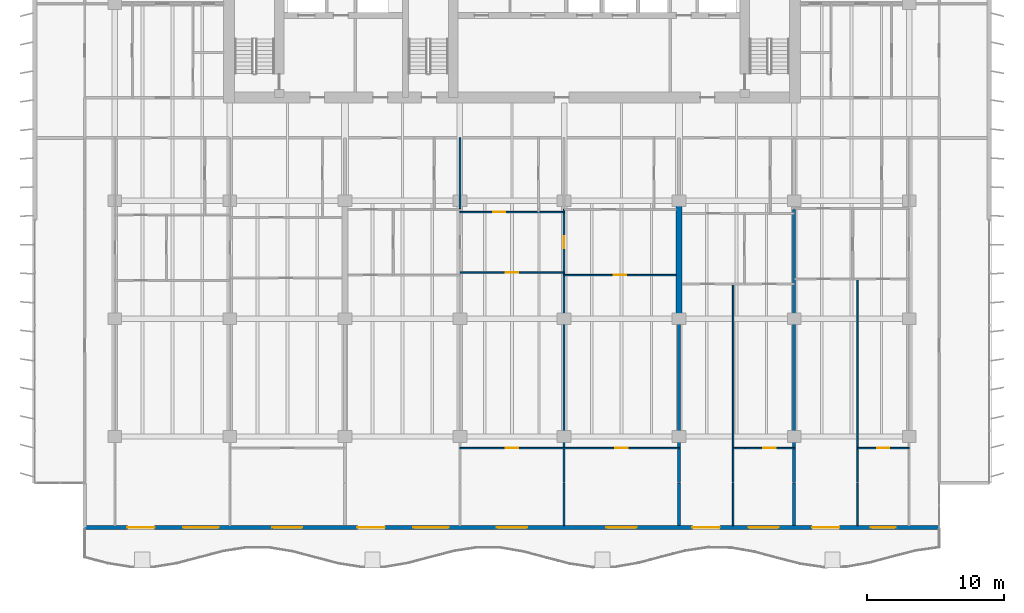
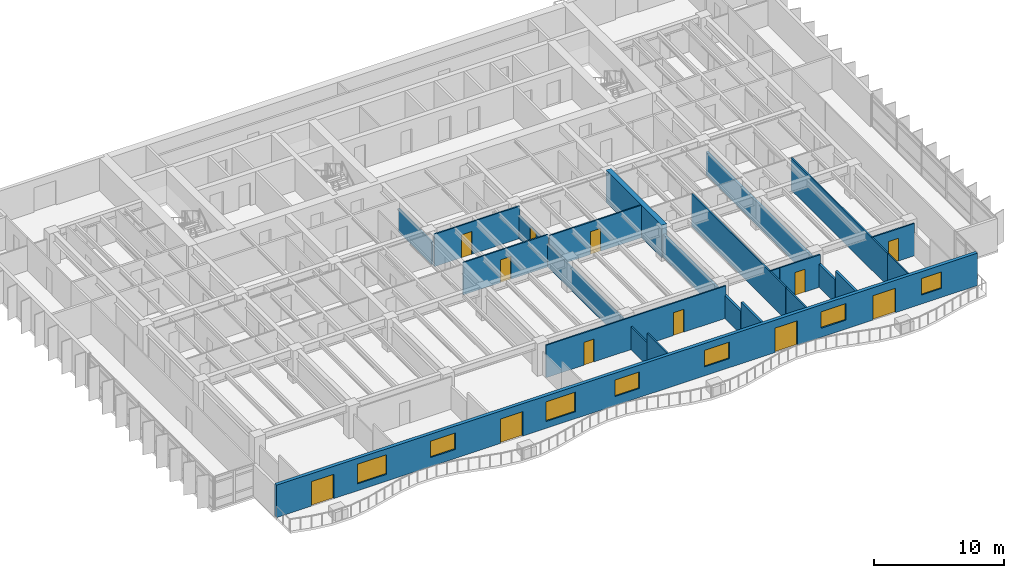
# One storey, part 7 of 15: 20 walls, 12 doors, 7 windows, 19 openings.
"""IFC4 building model written with IfcOpenShell, lengths in metres."""

from ifc_helpers import new_model, si_unit, direction, frame, frame_2d, origin, place, context, subcontext, project, spatial, rectangle, extrude, material, layer, layer_set, type_object, element, fill, save


model = new_model("IFC4")

# Units and contexts
model_context = context("Model", 3, precision=1e-05, world=origin(), true_north=direction((0.0, 1.0)))
body_context = subcontext(model_context, "Body", "Model", "MODEL_VIEW")
ifc_project = project(units=[si_unit("LENGTHUNIT", "METRE"), si_unit("AREAUNIT", "SQUARE_METRE"), si_unit("VOLUMEUNIT", "CUBIC_METRE"), si_unit("PLANEANGLEUNIT", "RADIAN"), si_unit("MASSUNIT", "GRAM", prefix="KILO")], contexts=[model_context])

# Site, building, storey
site_placement = place(None, origin())
site = spatial("IfcSite", under=ifc_project, at=site_placement, CompositionType="ELEMENT")
building_placement = place(site_placement, origin())
building = spatial("IfcBuilding", under=site, at=building_placement, Name="Caelmar Bay Residences", CompositionType="ELEMENT")
storey_placement = place(building_placement, frame((0.0, 0.0, 135.60009765625)))
storey = spatial("IfcBuildingStorey", under=building, at=storey_placement, Name="L37", CompositionType="ELEMENT", Elevation=135.60009765625)

# Wall
ifc_material_1 = material(Name="Concrete f'c 55 MPa (8,000 psi)", Category="concrete")
ifc_layer_1 = layer(ifc_material_1, 0.449951171875)
ifc_layer_set_1 = layer_set([ifc_layer_1], Name="Concrete f'c 55 MPa (8,000 psi)")
wall_type_1 = type_object("IfcWallType", Name="SW-XSLB-450", PredefinedType="SHEAR", material=ifc_layer_set_1)
wall_1_placement = place(storey_placement, frame((51.10009765625, 20.800048828125, 0.0), z_axis=(0.0, 0.0, 1.0), x_axis=(0.0, 1.0, 0.0)))
element("IfcWall", 1, at=wall_1_placement, inside=storey, type_object=wall_type_1, Name="L37 Transverse Cross-Slab Shear Wall E8", PredefinedType="SHEAR", context=body_context, shape_type="SweptSolid", body=[
    extrude(rectangle(XDim=8.599853515625, YDim=0.449951171875, at=frame_2d((4.2998046875, 0.0))), origin(), (0.0, 0.0, 1.0), 3.0498046875),
])

# Wall, openings, doors, windows
ifc_material_2 = material(Name="Precast concrete f'c 40 MPa (6,000 psi)", Category="concrete")
ifc_layer_2 = layer(ifc_material_2, 0.300048828125)
ifc_layer_set_2 = layer_set([ifc_layer_2], Name="Precast concrete f'c 40 MPa (6,000 psi)")
wall_type_2 = type_object("IfcWallType", Name="W-EXT-300", PredefinedType="STANDARD", material=ifc_layer_set_2)
wall_2_placement = place(storey_placement, frame((70.10009765625, 5.550048828125, 0.0), z_axis=(0.0, 0.0, 1.0), x_axis=(-1.0, 0.0, 0.0)))
wall_2 = element("IfcWall", 2, at=wall_2_placement, inside=storey, type_object=wall_type_2, Name="L37 South Bayfront Exterior Wall", PredefinedType="STANDARD", context=body_context, shape_type="SweptSolid", body=[
    extrude(rectangle(XDim=62.400146484375, YDim=0.300048828125, at=frame_2d((31.2001953125, 0.0))), origin(), (0.0, 0.0, 1.0), 3.0498046875),
])
opening_1_placement = place(wall_2_placement, frame((57.2900390625, 0.0, 0.0)))
opening_1 = element("IfcOpeningElement", 3, at=opening_1_placement, cuts=wall_2, Name="Opening L37-BD01", PredefinedType="OPENING", context=body_context, shape_type="SweptSolid", body=[
    extrude(rectangle(XDim=2.0, YDim=2.300048828125, at=frame_2d((1.0, 1.14990234375))), frame((0.0, 0.159912109375, 0.0), z_axis=(0.0, -1.0, 0.0), x_axis=(1.0, 0.0, 0.0)), (0.0, 0.0, 1.0), 0.320068359375),
])
opening_2_placement = place(wall_2_placement, frame((52.610107421875, 0.0, 0.64990234375)))
opening_2 = element("IfcOpeningElement", 4, at=opening_2_placement, cuts=wall_2, Name="Opening WN3", PredefinedType="OPENING", context=body_context, shape_type="SweptSolid", body=[
    extrude(rectangle(XDim=2.60009765625, YDim=1.85009765625, at=frame_2d((1.300048828125, 0.925048828125))), frame((0.0, 0.159912109375, 0.0), z_axis=(0.0, -1.0, 0.0), x_axis=(1.0, 0.0, 0.0)), (0.0, 0.0, 1.0), 0.320068359375),
])
opening_3_placement = place(wall_2_placement, frame((46.5, 0.0, 0.85009765625)))
opening_3 = element("IfcOpeningElement", 5, at=opening_3_placement, cuts=wall_2, Name="Opening WN2", PredefinedType="OPENING", context=body_context, shape_type="SweptSolid", body=[
    extrude(rectangle(XDim=2.199951171875, YDim=1.550048828125, at=frame_2d((1.10009765625, 0.77490234375))), frame((0.0, 0.159912109375, 0.0), z_axis=(0.0, -1.0, 0.0), x_axis=(1.0, 0.0, 0.0)), (0.0, 0.0, 1.0), 0.320068359375),
])
opening_4_placement = place(wall_2_placement, frame((40.489990234375, 0.0, 0.0)))
opening_4 = element("IfcOpeningElement", 6, at=opening_4_placement, cuts=wall_2, Name="Opening L37-BD02", PredefinedType="OPENING", context=body_context, shape_type="SweptSolid", body=[
    extrude(rectangle(XDim=2.0, YDim=2.300048828125, at=frame_2d((1.0, 1.14990234375))), frame((0.0, 0.159912109375, 0.0), z_axis=(0.0, -1.0, 0.0), x_axis=(1.0, 0.0, 0.0)), (0.0, 0.0, 1.0), 0.320068359375),
])
opening_5_placement = place(wall_2_placement, frame((35.81005859375, 0.0, 0.64990234375)))
opening_5 = element("IfcOpeningElement", 7, at=opening_5_placement, cuts=wall_2, Name="Opening WN3", PredefinedType="OPENING", context=body_context, shape_type="SweptSolid", body=[
    extrude(rectangle(XDim=2.60009765625, YDim=1.85009765625, at=frame_2d((1.300048828125, 0.925048828125))), frame((0.0, 0.159912109375, 0.0), z_axis=(0.0, -1.0, 0.0), x_axis=(1.0, 0.0, 0.0)), (0.0, 0.0, 1.0), 0.320068359375),
])
opening_6_placement = place(wall_2_placement, frame((30.10009765625, 0.0, 0.85009765625)))
opening_6 = element("IfcOpeningElement", 8, at=opening_6_placement, cuts=wall_2, Name="Opening WN2", PredefinedType="OPENING", context=body_context, shape_type="SweptSolid", body=[
    extrude(rectangle(XDim=2.199951171875, YDim=1.550048828125, at=frame_2d((1.10009765625, 0.77490234375))), frame((0.0, 0.159912109375, 0.0), z_axis=(0.0, -1.0, 0.0), x_axis=(1.0, 0.0, 0.0)), (0.0, 0.0, 1.0), 0.320068359375),
])
opening_7_placement = place(wall_2_placement, frame((22.10009765625, 0.0, 0.85009765625)))
opening_7 = element("IfcOpeningElement", 9, at=opening_7_placement, cuts=wall_2, Name="Opening WN2", PredefinedType="OPENING", context=body_context, shape_type="SweptSolid", body=[
    extrude(rectangle(XDim=2.199951171875, YDim=1.550048828125, at=frame_2d((1.10009765625, 0.77490234375))), frame((0.0, 0.159912109375, 0.0), z_axis=(0.0, -1.0, 0.0), x_axis=(1.0, 0.0, 0.0)), (0.0, 0.0, 1.0), 0.320068359375),
])
opening_8_placement = place(wall_2_placement, frame((16.02587890625, 0.0, 0.0)))
opening_8 = element("IfcOpeningElement", 10, at=opening_8_placement, cuts=wall_2, Name="Opening L37-BD03", PredefinedType="OPENING", context=body_context, shape_type="SweptSolid", body=[
    extrude(rectangle(XDim=2.0, YDim=2.300048828125, at=frame_2d((1.0, 1.14990234375))), frame((0.0, 0.159912109375, 0.0), z_axis=(0.0, -1.0, 0.0), x_axis=(1.0, 0.0, 0.0)), (0.0, 0.0, 1.0), 0.320068359375),
])
opening_9_placement = place(wall_2_placement, frame((11.72607421875, 0.0, 0.85009765625)))
opening_9 = element("IfcOpeningElement", 11, at=opening_9_placement, cuts=wall_2, Name="Opening WN2", PredefinedType="OPENING", context=body_context, shape_type="SweptSolid", body=[
    extrude(rectangle(XDim=2.199951171875, YDim=1.550048828125, at=frame_2d((1.10009765625, 0.77490234375))), frame((0.0, 0.159912109375, 0.0), z_axis=(0.0, -1.0, 0.0), x_axis=(1.0, 0.0, 0.0)), (0.0, 0.0, 1.0), 0.320068359375),
])
opening_10_placement = place(wall_2_placement, frame((7.2900390625, 0.0, 0.0)))
opening_10 = element("IfcOpeningElement", 12, at=opening_10_placement, cuts=wall_2, Name="Opening L37-BD04", PredefinedType="OPENING", context=body_context, shape_type="SweptSolid", body=[
    extrude(rectangle(XDim=2.0, YDim=2.300048828125, at=frame_2d((1.0, 1.14990234375))), frame((0.0, 0.159912109375, 0.0), z_axis=(0.0, -1.0, 0.0), x_axis=(1.0, 0.0, 0.0)), (0.0, 0.0, 1.0), 0.320068359375),
])
opening_11_placement = place(wall_2_placement, frame((3.18994140625, 0.0, 0.85009765625)))
opening_11 = element("IfcOpeningElement", 13, at=opening_11_placement, cuts=wall_2, Name="Opening WN1", PredefinedType="OPENING", context=body_context, shape_type="SweptSolid", body=[
    extrude(rectangle(XDim=1.800048828125, YDim=1.550048828125, at=frame_2d((0.89990234375, 0.77490234375))), frame((0.0, 0.159912109375, 0.0), z_axis=(0.0, -1.0, 0.0), x_axis=(1.0, 0.0, 0.0)), (0.0, 0.0, 1.0), 0.320068359375),
])
ifc_material_3 = material(Name="Anodised bronze thermally broken sliding glass door", Category="glass")
ifc_layer_3 = layer(ifc_material_3, 0.050048828125)
ifc_layer_set_3 = layer_set([ifc_layer_3], Name="Anodised bronze thermally broken sliding glass door")
door_type_1 = type_object("IfcDoorType", Name="D-BAL-2000", OperationType="DOUBLE_DOOR_SLIDING", PredefinedType="DOOR", material=ifc_layer_set_3)
door_1_placement = place(opening_1_placement, origin())
door_1 = element("IfcDoor", 14, at=door_1_placement, inside=storey, type_object=door_type_1, Name="L37 Residence 01 Penthouse Living Salon Balcony Door", OperationType="DOUBLE_DOOR_SLIDING", OverallHeight=2.300048828125, OverallWidth=2.0, PredefinedType="DOOR", context=body_context, shape_type="SweptSolid", body=[
    extrude(rectangle(XDim=2.0, YDim=2.300048828125, at=frame_2d((1.0, 1.14990234375))), frame((0.0, 0.02490234375, 0.0), z_axis=(0.0, -1.0, 0.0), x_axis=(1.0, 0.0, 0.0)), (0.0, 0.0, 1.0), 0.050048828125),
])
fill(opening_1, door_1)
door_2_placement = place(opening_4_placement, origin())
door_2 = element("IfcDoor", 15, at=door_2_placement, inside=storey, type_object=door_type_1, Name="L37 Residence 02 Penthouse Living Salon Balcony Door", OperationType="DOUBLE_DOOR_SLIDING", OverallHeight=2.300048828125, OverallWidth=2.0, PredefinedType="DOOR", context=body_context, shape_type="SweptSolid", body=[
    extrude(rectangle(XDim=2.0, YDim=2.300048828125, at=frame_2d((1.0, 1.14990234375))), frame((0.0, 0.02490234375, 0.0), z_axis=(0.0, -1.0, 0.0), x_axis=(1.0, 0.0, 0.0)), (0.0, 0.0, 1.0), 0.050048828125),
])
fill(opening_4, door_2)
door_3_placement = place(opening_8_placement, origin())
door_3 = element("IfcDoor", 16, at=door_3_placement, inside=storey, type_object=door_type_1, Name="L37 Residence 03 Living Room Balcony Door", OperationType="DOUBLE_DOOR_SLIDING", OverallHeight=2.300048828125, OverallWidth=2.0, PredefinedType="DOOR", context=body_context, shape_type="SweptSolid", body=[
    extrude(rectangle(XDim=2.0, YDim=2.300048828125, at=frame_2d((1.0, 1.14990234375))), frame((0.0, 0.02490234375, 0.0), z_axis=(0.0, -1.0, 0.0), x_axis=(1.0, 0.0, 0.0)), (0.0, 0.0, 1.0), 0.050048828125),
])
fill(opening_8, door_3)
door_4_placement = place(opening_10_placement, origin())
door_4 = element("IfcDoor", 17, at=door_4_placement, inside=storey, type_object=door_type_1, Name="L37 Residence 04 Penthouse Living Salon Balcony Door", OperationType="DOUBLE_DOOR_SLIDING", OverallHeight=2.300048828125, OverallWidth=2.0, PredefinedType="DOOR", context=body_context, shape_type="SweptSolid", body=[
    extrude(rectangle(XDim=2.0, YDim=2.300048828125, at=frame_2d((1.0, 1.14990234375))), frame((0.0, 0.02490234375, 0.0), z_axis=(0.0, -1.0, 0.0), x_axis=(1.0, 0.0, 0.0)), (0.0, 0.0, 1.0), 0.050048828125),
])
fill(opening_10, door_4)
ifc_material_4 = material(Name="Bronze aluminium frame with laminated low-E glass", Category="aluminium")
ifc_layer_4 = layer(ifc_material_4, 0.06005859375)
ifc_layer_set_4 = layer_set([ifc_layer_4], Name="Bronze aluminium frame with laminated low-E glass")
window_type_1 = type_object("IfcWindowType", Name="WIN-BR-1800", PartitioningType="SINGLE_PANEL", PredefinedType="WINDOW", material=ifc_layer_set_4)
window_1_placement = place(opening_11_placement, origin())
window_1 = element("IfcWindow", 18, at=window_1_placement, inside=storey, type_object=window_type_1, Name="L37 Residence 04 Primary Bedroom Window", OverallHeight=1.550048828125, OverallWidth=1.800048828125, PartitioningType="SINGLE_PANEL", PredefinedType="WINDOW", context=body_context, shape_type="SweptSolid", body=[
    extrude(rectangle(XDim=1.800048828125, YDim=1.550048828125, at=frame_2d((0.89990234375, 0.77490234375))), frame((0.0, 0.030029296875, 0.0), z_axis=(0.0, -1.0, 0.0), x_axis=(1.0, 0.0, 0.0)), (0.0, 0.0, 1.0), 0.06005859375),
])
fill(opening_11, window_1)
ifc_layer_5 = layer(ifc_material_4, 0.06005859375)
ifc_layer_set_5 = layer_set([ifc_layer_5], Name="Bronze aluminium frame with laminated low-E glass")
window_type_2 = type_object("IfcWindowType", Name="WIN-BR-2200", PartitioningType="SINGLE_PANEL", PredefinedType="WINDOW", material=ifc_layer_set_5)
window_2_placement = place(opening_3_placement, origin())
window_2 = element("IfcWindow", 19, at=window_2_placement, inside=storey, type_object=window_type_2, Name="L37 Residence 01 Primary Bedroom 1 Window", OverallHeight=1.550048828125, OverallWidth=2.199951171875, PartitioningType="SINGLE_PANEL", PredefinedType="WINDOW", context=body_context, shape_type="SweptSolid", body=[
    extrude(rectangle(XDim=2.199951171875, YDim=1.550048828125, at=frame_2d((1.10009765625, 0.77490234375))), frame((0.0, 0.030029296875, 0.0), z_axis=(0.0, -1.0, 0.0), x_axis=(1.0, 0.0, 0.0)), (0.0, 0.0, 1.0), 0.06005859375),
])
fill(opening_3, window_2)
window_3_placement = place(opening_6_placement, origin())
window_3 = element("IfcWindow", 20, at=window_3_placement, inside=storey, type_object=window_type_2, Name="L37 Residence 02 Primary Bedroom 1 Window", OverallHeight=1.550048828125, OverallWidth=2.199951171875, PartitioningType="SINGLE_PANEL", PredefinedType="WINDOW", context=body_context, shape_type="SweptSolid", body=[
    extrude(rectangle(XDim=2.199951171875, YDim=1.550048828125, at=frame_2d((1.10009765625, 0.77490234375))), frame((0.0, 0.030029296875, 0.0), z_axis=(0.0, -1.0, 0.0), x_axis=(1.0, 0.0, 0.0)), (0.0, 0.0, 1.0), 0.06005859375),
])
fill(opening_6, window_3)
window_4_placement = place(opening_7_placement, origin())
window_4 = element("IfcWindow", 21, at=window_4_placement, inside=storey, type_object=window_type_2, Name="L37 Residence 02 Primary Bedroom 2 Window", OverallHeight=1.550048828125, OverallWidth=2.199951171875, PartitioningType="SINGLE_PANEL", PredefinedType="WINDOW", context=body_context, shape_type="SweptSolid", body=[
    extrude(rectangle(XDim=2.199951171875, YDim=1.550048828125, at=frame_2d((1.10009765625, 0.77490234375))), frame((0.0, 0.030029296875, 0.0), z_axis=(0.0, -1.0, 0.0), x_axis=(1.0, 0.0, 0.0)), (0.0, 0.0, 1.0), 0.06005859375),
])
fill(opening_7, window_4)
window_5_placement = place(opening_9_placement, origin())
window_5 = element("IfcWindow", 22, at=window_5_placement, inside=storey, type_object=window_type_2, Name="L37 Residence 03 Primary Bedroom Window", OverallHeight=1.550048828125, OverallWidth=2.199951171875, PartitioningType="SINGLE_PANEL", PredefinedType="WINDOW", context=body_context, shape_type="SweptSolid", body=[
    extrude(rectangle(XDim=2.199951171875, YDim=1.550048828125, at=frame_2d((1.10009765625, 0.77490234375))), frame((0.0, 0.030029296875, 0.0), z_axis=(0.0, -1.0, 0.0), x_axis=(1.0, 0.0, 0.0)), (0.0, 0.0, 1.0), 0.06005859375),
])
fill(opening_9, window_5)
ifc_layer_6 = layer(ifc_material_4, 0.06005859375)
ifc_layer_set_6 = layer_set([ifc_layer_6], Name="Bronze aluminium frame with laminated low-E glass")
window_type_3 = type_object("IfcWindowType", Name="WIN-LIV-2600", PartitioningType="SINGLE_PANEL", PredefinedType="WINDOW", material=ifc_layer_set_6)
window_6_placement = place(opening_2_placement, origin())
window_6 = element("IfcWindow", 23, at=window_6_placement, inside=storey, type_object=window_type_3, Name="L37 Residence 01 Penthouse Living Salon Panoramic Window", OverallHeight=1.85009765625, OverallWidth=2.60009765625, PartitioningType="SINGLE_PANEL", PredefinedType="WINDOW", context=body_context, shape_type="SweptSolid", body=[
    extrude(rectangle(XDim=2.60009765625, YDim=1.85009765625, at=frame_2d((1.300048828125, 0.925048828125))), frame((0.0, 0.030029296875, 0.0), z_axis=(0.0, -1.0, 0.0), x_axis=(1.0, 0.0, 0.0)), (0.0, 0.0, 1.0), 0.06005859375),
])
fill(opening_2, window_6)
window_7_placement = place(opening_5_placement, origin())
window_7 = element("IfcWindow", 24, at=window_7_placement, inside=storey, type_object=window_type_3, Name="L37 Residence 02 Penthouse Living Salon Panoramic Window", OverallHeight=1.85009765625, OverallWidth=2.60009765625, PartitioningType="SINGLE_PANEL", PredefinedType="WINDOW", context=body_context, shape_type="SweptSolid", body=[
    extrude(rectangle(XDim=2.60009765625, YDim=1.85009765625, at=frame_2d((1.300048828125, 0.925048828125))), frame((0.0, 0.030029296875, 0.0), z_axis=(0.0, -1.0, 0.0), x_axis=(1.0, 0.0, 0.0)), (0.0, 0.0, 1.0), 0.06005859375),
])
fill(opening_5, window_7)

# Walls
ifc_material_5 = material(Name="Acoustic metal-stud gypsum partition 120 mm")
ifc_layer_7 = layer(ifc_material_5, 0.1201171875)
ifc_layer_set_7 = layer_set([ifc_layer_7], Name="Acoustic metal-stud gypsum partition 120 mm")
wall_type_3 = type_object("IfcWallType", Name="W-PRT-120", PredefinedType="PARTITIONING", material=ifc_layer_set_7)
wall_3_placement = place(storey_placement, frame((35.10009765625, 28.840087890625, 0.0), z_axis=(0.0, 0.0, 1.0), x_axis=(0.0, 1.0, 0.0)))
element("IfcWall", 25, at=wall_3_placement, inside=storey, type_object=wall_type_3, Name="L37 Partition Wall V030", PredefinedType="PARTITIONING", context=body_context, shape_type="SweptSolid", body=[
    extrude(rectangle(XDim=5.159912109375, YDim=0.1201171875, at=frame_2d((2.580078125, 0.0))), origin(), (0.0, 0.0, 1.0), 2.173828125),
])
wall_4_placement = place(storey_placement, frame((42.699951171875, 5.695068359375, 0.0), z_axis=(0.0, 0.0, 1.0), x_axis=(0.0, 1.0, 0.0)))
element("IfcWall", 26, at=wall_4_placement, inside=storey, type_object=wall_type_3, Name="L37 Partition Wall V035", PredefinedType="PARTITIONING", context=body_context, shape_type="SweptSolid", body=[
    extrude(rectangle(XDim=3.10498046875, YDim=0.1201171875, at=frame_2d((1.552490234375, 0.0))), origin(), (0.0, 0.0, 1.0), 3.0498046875),
])

# Wall, opening, door
wall_5_placement = place(storey_placement, frame((42.699951171875, 8.840087890625, 0.0), z_axis=(0.0, 0.0, 1.0), x_axis=(0.0, 1.0, 0.0)))
wall_5 = element("IfcWall", 27, at=wall_5_placement, inside=storey, type_object=wall_type_3, Name="L37 Partition Wall V036", PredefinedType="PARTITIONING", context=body_context, shape_type="SweptSolid", body=[
    extrude(rectangle(XDim=19.93994140625, YDim=0.1201171875, at=frame_2d((9.969970703125, 0.0))), origin(), (0.0, 0.0, 1.0), 2.173828125),
])
opening_12_placement = place(wall_5_placement, frame((17.090087890625, 0.0, 0.0)))
opening_12 = element("IfcOpeningElement", 28, at=opening_12_placement, cuts=wall_5, Name="Opening D-L37-141", PredefinedType="OPENING", context=body_context, shape_type="SweptSolid", body=[
    extrude(rectangle(XDim=0.89990234375, YDim=2.1240234375, at=frame_2d((0.449951171875, 1.06201171875))), frame((0.0, 0.070068359375, 0.0), z_axis=(0.0, -1.0, 0.0), x_axis=(1.0, 0.0, 0.0)), (0.0, 0.0, 1.0), 0.14013671875),
])
ifc_material_6 = material(Name="Solid walnut timber interior door leaf and frame", Category="wood")
ifc_layer_8 = layer(ifc_material_6, 0.050048828125)
ifc_layer_set_8 = layer_set([ifc_layer_8], Name="Solid walnut timber interior door leaf and frame")
door_type_2 = type_object("IfcDoorType", Name="D-ROOM-900", OperationType="NOTDEFINED", PredefinedType="DOOR", material=ifc_layer_set_8)
door_5_placement = place(opening_12_placement, origin())
door_5 = element("IfcDoor", 29, at=door_5_placement, inside=storey, type_object=door_type_2, Name="L37 Residence 02 Reception Lounge 2 Door", OperationType="SINGLE_SWING_RIGHT", OverallHeight=2.1240234375, OverallWidth=0.89990234375, PredefinedType="DOOR", context=body_context, shape_type="SweptSolid", body=[
    extrude(rectangle(XDim=0.89990234375, YDim=2.1240234375, at=frame_2d((0.449951171875, 1.06201171875))), frame((0.0, 0.02490234375, 0.0), z_axis=(0.0, -1.0, 0.0), x_axis=(1.0, 0.0, 0.0)), (0.0, 0.0, 1.0), 0.050048828125),
])
fill(opening_12, door_5)

# Walls
wall_6_placement = place(storey_placement, frame((55.048095703125, 5.695068359375, 0.0), z_axis=(0.0, 0.0, 1.0), x_axis=(0.0, 1.0, 0.0)))
element("IfcWall", 30, at=wall_6_placement, inside=storey, type_object=wall_type_3, Name="L37 Partition Wall V048", PredefinedType="PARTITIONING", context=body_context, shape_type="SweptSolid", body=[
    extrude(rectangle(XDim=3.10498046875, YDim=0.1201171875, at=frame_2d((1.552490234375, 0.0))), origin(), (0.0, 0.0, 1.0), 3.0498046875),
])
wall_7_placement = place(storey_placement, frame((55.048095703125, 8.840087890625, 0.0), z_axis=(0.0, 0.0, 1.0), x_axis=(0.0, 1.0, 0.0)))
element("IfcWall", 31, at=wall_7_placement, inside=storey, type_object=wall_type_3, Name="L37 Partition Wall V049", PredefinedType="PARTITIONING", context=body_context, shape_type="SweptSolid", body=[
    extrude(rectangle(XDim=14.489990234375, YDim=0.1201171875, at=frame_2d((7.2451171875, 0.0))), origin(), (0.0, 0.0, 1.0), 3.0498046875),
])
wall_8_placement = place(storey_placement, frame((64.1201171875, 5.695068359375, 0.0), z_axis=(0.0, 0.0, 1.0), x_axis=(0.0, 1.0, 0.0)))
element("IfcWall", 32, at=wall_8_placement, inside=storey, type_object=wall_type_3, Name="L37 Partition Wall V059", PredefinedType="PARTITIONING", context=body_context, shape_type="SweptSolid", body=[
    extrude(rectangle(XDim=3.10498046875, YDim=0.1201171875, at=frame_2d((1.552490234375, 0.0))), origin(), (0.0, 0.0, 1.0), 3.0498046875),
])
wall_9_placement = place(storey_placement, frame((64.1201171875, 8.840087890625, 0.0), z_axis=(0.0, 0.0, 1.0), x_axis=(0.0, 1.0, 0.0)))
element("IfcWall", 33, at=wall_9_placement, inside=storey, type_object=wall_type_3, Name="L37 Partition Wall V060", PredefinedType="PARTITIONING", context=body_context, shape_type="SweptSolid", body=[
    extrude(rectangle(XDim=14.849853515625, YDim=0.1201171875, at=frame_2d((7.4248046875, 0.0))), origin(), (0.0, 0.0, 1.0), 3.0498046875),
])

# Wall, openings, doors
wall_10_placement = place(storey_placement, frame((35.10009765625, 11.35009765625, 0.0), z_axis=(0.0, 0.0, 1.0), x_axis=(1.0, 0.0, 0.0)))
wall_10 = element("IfcWall", 34, at=wall_10_placement, inside=storey, type_object=wall_type_3, Name="L37 Partition Wall H072", PredefinedType="PARTITIONING", context=body_context, shape_type="SweptSolid", body=[
    extrude(rectangle(XDim=16.0, YDim=0.1201171875, at=frame_2d((8.0, 0.0))), origin(), (0.0, 0.0, 1.0), 3.0498046875),
])
opening_13_placement = place(wall_10_placement, frame((3.35009765625, 0.0, 0.0)))
opening_13 = element("IfcOpeningElement", 35, at=opening_13_placement, cuts=wall_10, Name="Opening D-L37-140", PredefinedType="OPENING", context=body_context, shape_type="SweptSolid", body=[
    extrude(rectangle(XDim=0.89990234375, YDim=2.14990234375, at=frame_2d((0.449951171875, 1.074951171875))), frame((0.0, 0.070068359375, 0.0), z_axis=(0.0, -1.0, 0.0), x_axis=(1.0, 0.0, 0.0)), (0.0, 0.0, 1.0), 0.14013671875),
])
opening_14_placement = place(wall_10_placement, frame((11.35009765625, 0.0, 0.0)))
opening_14 = element("IfcOpeningElement", 36, at=opening_14_placement, cuts=wall_10, Name="Opening D-L37-145", PredefinedType="OPENING", context=body_context, shape_type="SweptSolid", body=[
    extrude(rectangle(XDim=0.89990234375, YDim=2.14990234375, at=frame_2d((0.449951171875, 1.074951171875))), frame((0.0, 0.070068359375, 0.0), z_axis=(0.0, -1.0, 0.0), x_axis=(1.0, 0.0, 0.0)), (0.0, 0.0, 1.0), 0.14013671875),
])
door_6_placement = place(opening_13_placement, origin())
door_6 = element("IfcDoor", 37, at=door_6_placement, inside=storey, type_object=door_type_2, Name="L37 Residence 02 Primary Bedroom 1 Door", OperationType="SINGLE_SWING_LEFT", OverallHeight=2.14990234375, OverallWidth=0.89990234375, PredefinedType="DOOR", context=body_context, shape_type="SweptSolid", body=[
    extrude(rectangle(XDim=0.89990234375, YDim=2.14990234375, at=frame_2d((0.449951171875, 1.074951171875))), frame((0.0, 0.02490234375, 0.0), z_axis=(0.0, -1.0, 0.0), x_axis=(1.0, 0.0, 0.0)), (0.0, 0.0, 1.0), 0.050048828125),
])
fill(opening_13, door_6)
door_7_placement = place(opening_14_placement, origin())
door_7 = element("IfcDoor", 38, at=door_7_placement, inside=storey, type_object=door_type_2, Name="L37 Residence 02 Primary Bedroom 2 Door", OperationType="SINGLE_SWING_RIGHT", OverallHeight=2.14990234375, OverallWidth=0.89990234375, PredefinedType="DOOR", context=body_context, shape_type="SweptSolid", body=[
    extrude(rectangle(XDim=0.89990234375, YDim=2.14990234375, at=frame_2d((0.449951171875, 1.074951171875))), frame((0.0, 0.02490234375, 0.0), z_axis=(0.0, -1.0, 0.0), x_axis=(1.0, 0.0, 0.0)), (0.0, 0.0, 1.0), 0.050048828125),
])
fill(opening_14, door_7)

# Wall
wall_11_placement = place(storey_placement, frame((55.048095703125, 11.35009765625, 0.0), z_axis=(0.0, 0.0, 1.0), x_axis=(1.0, 0.0, 0.0)))
element("IfcWall", 39, at=wall_11_placement, inside=storey, type_object=wall_type_3, Name="L37 Partition Wall H073", PredefinedType="PARTITIONING", context=body_context, shape_type="SweptSolid", body=[
    extrude(rectangle(XDim=0.837890625, YDim=0.1201171875, at=frame_2d((0.4189453125, 0.0))), origin(), (0.0, 0.0, 1.0), 3.0498046875),
])

# Wall, opening, door
wall_12_placement = place(storey_placement, frame((55.89990234375, 11.35009765625, 0.0), z_axis=(0.0, 0.0, 1.0), x_axis=(1.0, 0.0, 0.0)))
wall_12 = element("IfcWall", 40, at=wall_12_placement, inside=storey, type_object=wall_type_3, Name="L37 Partition Wall H074", PredefinedType="PARTITIONING", context=body_context, shape_type="SweptSolid", body=[
    extrude(rectangle(XDim=3.60009765625, YDim=0.1201171875, at=frame_2d((1.800048828125, 0.0))), origin(), (0.0, 0.0, 1.0), 3.0498046875),
])
opening_15_placement = place(wall_12_placement, frame((1.35009765625, 0.0, 0.0)))
opening_15 = element("IfcOpeningElement", 41, at=opening_15_placement, cuts=wall_12, Name="Opening D-L37-152", PredefinedType="OPENING", context=body_context, shape_type="SweptSolid", body=[
    extrude(rectangle(XDim=0.89990234375, YDim=2.14990234375, at=frame_2d((0.449951171875, 1.074951171875))), frame((0.0, 0.070068359375, 0.0), z_axis=(0.0, -1.0, 0.0), x_axis=(1.0, 0.0, 0.0)), (0.0, 0.0, 1.0), 0.14013671875),
])
door_8_placement = place(opening_15_placement, origin())
door_8 = element("IfcDoor", 42, at=door_8_placement, inside=storey, type_object=door_type_2, Name="L37 Residence 03 Primary Bedroom Door", OperationType="SINGLE_SWING_LEFT", OverallHeight=2.14990234375, OverallWidth=0.89990234375, PredefinedType="DOOR", context=body_context, shape_type="SweptSolid", body=[
    extrude(rectangle(XDim=0.89990234375, YDim=2.14990234375, at=frame_2d((0.449951171875, 1.074951171875))), frame((0.0, 0.02490234375, 0.0), z_axis=(0.0, -1.0, 0.0), x_axis=(1.0, 0.0, 0.0)), (0.0, 0.0, 1.0), 0.050048828125),
])
fill(opening_15, door_8)

wall_13_placement = place(storey_placement, frame((64.1201171875, 11.35009765625, 0.0), z_axis=(0.0, 0.0, 1.0), x_axis=(1.0, 0.0, 0.0)))
wall_13 = element("IfcWall", 43, at=wall_13_placement, inside=storey, type_object=wall_type_3, Name="L37 Partition Wall H075", PredefinedType="PARTITIONING", context=body_context, shape_type="SweptSolid", body=[
    extrude(rectangle(XDim=3.77978515625, YDim=0.1201171875, at=frame_2d((1.889892578125, 0.0))), origin(), (0.0, 0.0, 1.0), 3.0498046875),
])
opening_16_placement = place(wall_13_placement, frame((1.43994140625, 0.0, 0.0)))
opening_16 = element("IfcOpeningElement", 44, at=opening_16_placement, cuts=wall_13, Name="Opening D-L37-159", PredefinedType="OPENING", context=body_context, shape_type="SweptSolid", body=[
    extrude(rectangle(XDim=0.89990234375, YDim=2.14990234375, at=frame_2d((0.449951171875, 1.074951171875))), frame((0.0, 0.070068359375, 0.0), z_axis=(0.0, -1.0, 0.0), x_axis=(1.0, 0.0, 0.0)), (0.0, 0.0, 1.0), 0.14013671875),
])
door_9_placement = place(opening_16_placement, origin())
door_9 = element("IfcDoor", 45, at=door_9_placement, inside=storey, type_object=door_type_2, Name="L37 Residence 04 Primary Bedroom Door", OperationType="SINGLE_SWING_RIGHT", OverallHeight=2.14990234375, OverallWidth=0.89990234375, PredefinedType="DOOR", context=body_context, shape_type="SweptSolid", body=[
    extrude(rectangle(XDim=0.89990234375, YDim=2.14990234375, at=frame_2d((0.449951171875, 1.074951171875))), frame((0.0, 0.02490234375, 0.0), z_axis=(0.0, -1.0, 0.0), x_axis=(1.0, 0.0, 0.0)), (0.0, 0.0, 1.0), 0.050048828125),
])
fill(opening_16, door_9)

wall_14_placement = place(storey_placement, frame((42.699951171875, 23.97998046875, 0.0), z_axis=(0.0, 0.0, 1.0), x_axis=(1.0, 0.0, 0.0)))
wall_14 = element("IfcWall", 46, at=wall_14_placement, inside=storey, type_object=wall_type_3, Name="L37 Partition Wall H082", PredefinedType="PARTITIONING", context=body_context, shape_type="SweptSolid", body=[
    extrude(rectangle(XDim=8.179931640625, YDim=0.1201171875, at=frame_2d((4.08984375, 0.0))), origin(), (0.0, 0.0, 1.0), 3.0498046875),
])
opening_17_placement = place(wall_14_placement, frame((3.639892578125, 0.0, 0.0)))
opening_17 = element("IfcOpeningElement", 47, at=opening_17_placement, cuts=wall_14, Name="Opening D-L37-144", PredefinedType="OPENING", context=body_context, shape_type="SweptSolid", body=[
    extrude(rectangle(XDim=0.89990234375, YDim=2.14990234375, at=frame_2d((0.449951171875, 1.074951171875))), frame((0.0, 0.070068359375, 0.0), z_axis=(0.0, -1.0, 0.0), x_axis=(1.0, 0.0, 0.0)), (0.0, 0.0, 1.0), 0.14013671875),
])
door_10_placement = place(opening_17_placement, origin())
door_10 = element("IfcDoor", 48, at=door_10_placement, inside=storey, type_object=door_type_2, Name="L37 Residence 02 Penthouse Sitting Salon 2 Door", OperationType="SINGLE_SWING_LEFT", OverallHeight=2.14990234375, OverallWidth=0.89990234375, PredefinedType="DOOR", context=body_context, shape_type="SweptSolid", body=[
    extrude(rectangle(XDim=0.89990234375, YDim=2.14990234375, at=frame_2d((0.449951171875, 1.074951171875))), frame((0.0, 0.02490234375, 0.0), z_axis=(0.0, -1.0, 0.0), x_axis=(1.0, 0.0, 0.0)), (0.0, 0.0, 1.0), 0.050048828125),
])
fill(opening_17, door_10)

wall_15_placement = place(storey_placement, frame((35.10498046875, 24.179931640625, 0.0), z_axis=(0.0, 0.0, 1.0), x_axis=(1.0, 0.0, 0.0)))
wall_15 = element("IfcWall", 49, at=wall_15_placement, inside=storey, type_object=wall_type_3, Name="L37 Partition Wall H083", PredefinedType="PARTITIONING", context=body_context, shape_type="SweptSolid", body=[
    extrude(rectangle(XDim=7.590087890625, YDim=0.1201171875, at=frame_2d((3.794921875, 0.0))), origin(), (0.0, 0.0, 1.0), 3.0498046875),
])
opening_18_placement = place(wall_15_placement, frame((3.344970703125, 0.0, 0.0)))
opening_18 = element("IfcOpeningElement", 50, at=opening_18_placement, cuts=wall_15, Name="Opening D-L37-139", PredefinedType="OPENING", context=body_context, shape_type="SweptSolid", body=[
    extrude(rectangle(XDim=0.89990234375, YDim=2.14990234375, at=frame_2d((0.449951171875, 1.074951171875))), frame((0.0, 0.070068359375, 0.0), z_axis=(0.0, -1.0, 0.0), x_axis=(1.0, 0.0, 0.0)), (0.0, 0.0, 1.0), 0.14013671875),
])
door_11_placement = place(opening_18_placement, origin())
door_11 = element("IfcDoor", 51, at=door_11_placement, inside=storey, type_object=door_type_2, Name="L37 Residence 02 Penthouse Sitting Salon 1 Door", OperationType="SINGLE_SWING_RIGHT", OverallHeight=2.14990234375, OverallWidth=0.89990234375, PredefinedType="DOOR", context=body_context, shape_type="SweptSolid", body=[
    extrude(rectangle(XDim=0.89990234375, YDim=2.14990234375, at=frame_2d((0.449951171875, 1.074951171875))), frame((0.0, 0.02490234375, 0.0), z_axis=(0.0, -1.0, 0.0), x_axis=(1.0, 0.0, 0.0)), (0.0, 0.0, 1.0), 0.050048828125),
])
fill(opening_18, door_11)

wall_16_placement = place(storey_placement, frame((35.10009765625, 28.580078125, 0.0), z_axis=(0.0, 0.0, 1.0), x_axis=(1.0, 0.0, 0.0)))
wall_16 = element("IfcWall", 52, at=wall_16_placement, inside=storey, type_object=wall_type_3, Name="L37 Partition Wall H088", PredefinedType="PARTITIONING", context=body_context, shape_type="SweptSolid", body=[
    extrude(rectangle(XDim=7.599853515625, YDim=0.1201171875, at=frame_2d((3.7998046875, 0.0))), origin(), (0.0, 0.0, 1.0), 3.0498046875),
])
opening_19_placement = place(wall_16_placement, frame((2.41845703125, 0.0, 0.0)))
opening_19 = element("IfcOpeningElement", 53, at=opening_19_placement, cuts=wall_16, Name="Opening D-L37-137", PredefinedType="OPENING", context=body_context, shape_type="SweptSolid", body=[
    extrude(rectangle(XDim=0.89990234375, YDim=2.14990234375, at=frame_2d((0.449951171875, 1.074951171875))), frame((0.0, 0.070068359375, 0.0), z_axis=(0.0, -1.0, 0.0), x_axis=(1.0, 0.0, 0.0)), (0.0, 0.0, 1.0), 0.14013671875),
])
door_12_placement = place(opening_19_placement, origin())
door_12 = element("IfcDoor", 54, at=door_12_placement, inside=storey, type_object=door_type_2, Name="L37 Residence 02 Private Reception Room 1 Door", OperationType="SINGLE_SWING_RIGHT", OverallHeight=2.14990234375, OverallWidth=0.89990234375, PredefinedType="DOOR", context=body_context, shape_type="SweptSolid", body=[
    extrude(rectangle(XDim=0.89990234375, YDim=2.14990234375, at=frame_2d((0.449951171875, 1.074951171875))), frame((0.0, 0.02490234375, 0.0), z_axis=(0.0, -1.0, 0.0), x_axis=(1.0, 0.0, 0.0)), (0.0, 0.0, 1.0), 0.050048828125),
])
fill(opening_19, door_12)

# Walls
ifc_material_7 = material(Name="Acoustic twin-stud fire-rated inter-tenancy partition 200 mm")
ifc_layer_9 = layer(ifc_material_7, 0.199951171875)
ifc_layer_set_9 = layer_set([ifc_layer_9], Name="Acoustic twin-stud fire-rated inter-tenancy partition 200 mm")
wall_type_4 = type_object("IfcWallType", Name="W-PTY-200", PredefinedType="PARTITIONING", material=ifc_layer_set_9)
wall_17_placement = place(storey_placement, frame((51.10009765625, 5.695068359375, 0.0), z_axis=(0.0, 0.0, 1.0), x_axis=(0.0, 1.0, 0.0)))
element("IfcWall", 55, at=wall_17_placement, inside=storey, type_object=wall_type_4, Name="L37 Partition Wall V044", PredefinedType="PARTITIONING", context=body_context, shape_type="SweptSolid", body=[
    extrude(rectangle(XDim=3.10498046875, YDim=0.199951171875, at=frame_2d((1.552490234375, 0.0))), origin(), (0.0, 0.0, 1.0), 3.0498046875),
])
wall_18_placement = place(storey_placement, frame((51.10009765625, 8.840087890625, 0.0), z_axis=(0.0, 0.0, 1.0), x_axis=(0.0, 1.0, 0.0)))
element("IfcWall", 56, at=wall_18_placement, inside=storey, type_object=wall_type_4, Name="L37 Partition Wall V045", PredefinedType="PARTITIONING", context=body_context, shape_type="SweptSolid", body=[
    extrude(rectangle(XDim=11.954833984375, YDim=0.199951171875, at=frame_2d((5.9775390625, 0.0))), origin(), (0.0, 0.0, 1.0), 2.173828125),
])
wall_19_placement = place(storey_placement, frame((59.5, 5.695068359375, 0.0), z_axis=(0.0, 0.0, 1.0), x_axis=(0.0, 1.0, 0.0)))
element("IfcWall", 57, at=wall_19_placement, inside=storey, type_object=wall_type_4, Name="L37 Partition Wall V054", PredefinedType="PARTITIONING", context=body_context, shape_type="SweptSolid", body=[
    extrude(rectangle(XDim=3.10498046875, YDim=0.199951171875, at=frame_2d((1.552490234375, 0.0))), origin(), (0.0, 0.0, 1.0), 3.0498046875),
])
wall_20_placement = place(storey_placement, frame((59.5, 8.840087890625, 0.0), z_axis=(0.0, 0.0, 1.0), x_axis=(0.0, 1.0, 0.0)))
element("IfcWall", 58, at=wall_20_placement, inside=storey, type_object=wall_type_4, Name="L37 Partition Wall V055", PredefinedType="PARTITIONING", context=body_context, shape_type="SweptSolid", body=[
    extrude(rectangle(XDim=19.93994140625, YDim=0.199951171875, at=frame_2d((9.969970703125, 0.0))), origin(), (0.0, 0.0, 1.0), 2.173828125),
])

save(model, "model.ifc")
